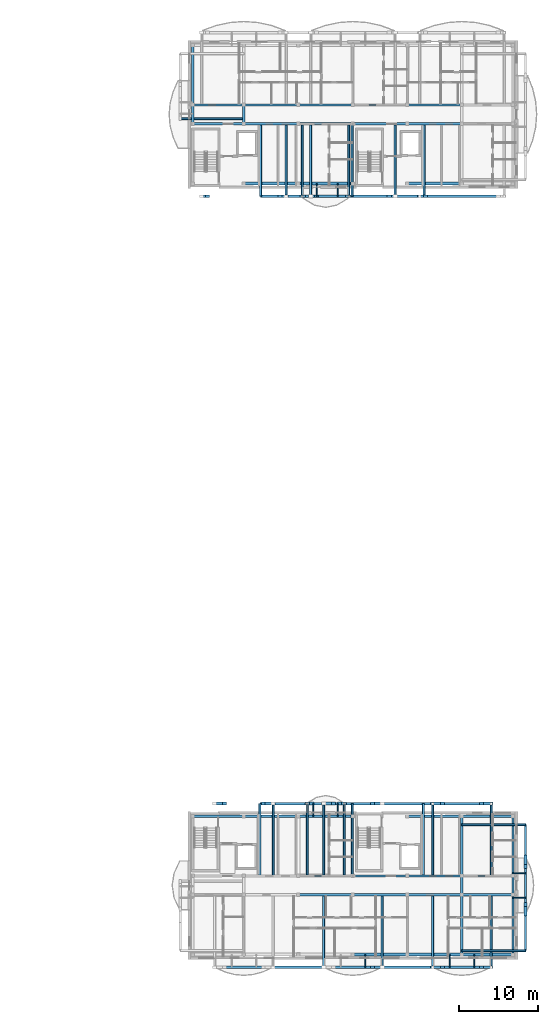
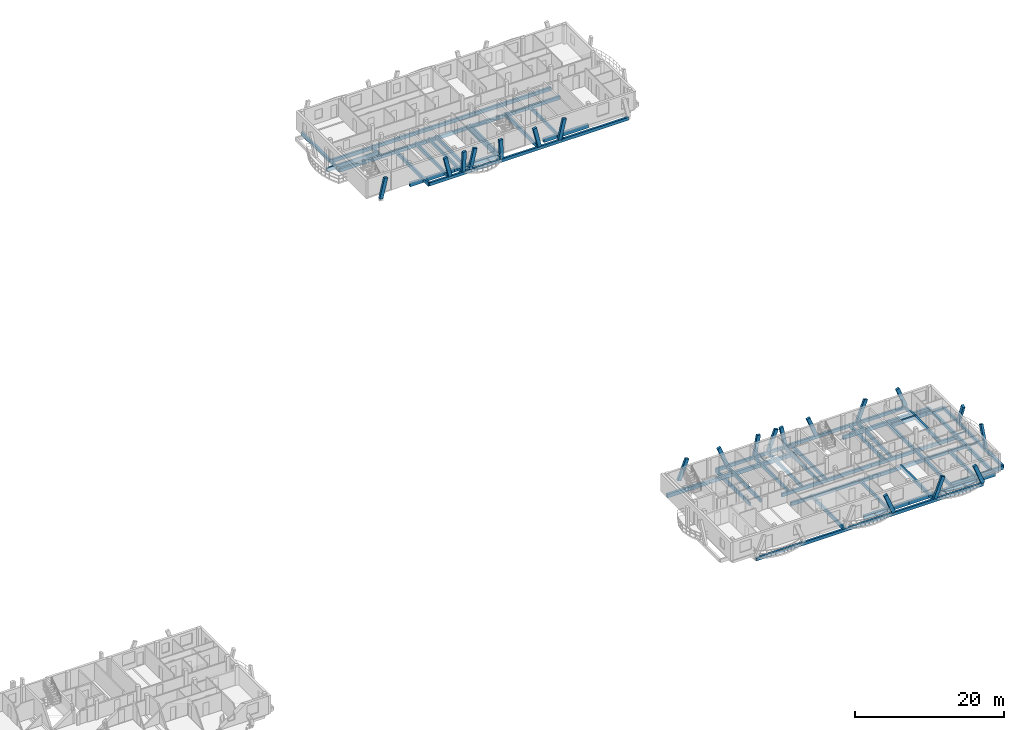
# One storey, part 7 of 42: 75 beams, 20 members.
"""IFC4 building model written with IfcOpenShell, lengths in metres."""

from ifc_helpers import new_model, si_unit, direction, frame, origin, origin_2d, place, context, subcontext, project, spatial, rectangle, i_section, extrude, material, material_profile, profile_set, type_object, element, save


model = new_model("IFC4")

# Units and contexts
model_context = context("Model", 3, precision=1e-05, world=origin(), true_north=direction((0.0, 1.0)))
body_context = subcontext(model_context, "Body", "Model", "MODEL_VIEW")
ifc_project = project(units=[si_unit("LENGTHUNIT", "METRE"), si_unit("AREAUNIT", "SQUARE_METRE"), si_unit("VOLUMEUNIT", "CUBIC_METRE"), si_unit("PLANEANGLEUNIT", "RADIAN"), si_unit("MASSUNIT", "GRAM", prefix="KILO")], contexts=[model_context])

# Site, building, storey
site_placement = place(None, origin())
site = spatial("IfcSite", under=ifc_project, at=site_placement, CompositionType="ELEMENT")
building_placement = place(site_placement, origin())
building = spatial("IfcBuilding", under=site, at=building_placement, Name="Zavelmont Quarter", CompositionType="ELEMENT")
storey_placement = place(building_placement, frame((0.0, 0.0, 24.0)))
storey = spatial("IfcBuildingStorey", under=building, at=storey_placement, Name="L07", CompositionType="ELEMENT", Elevation=24.0)

# Beams
ifc_material_1 = material(Name="Concrete C35/45", Category="concrete")
ifc_material_profile_1 = material_profile(ifc_material_1, rectangle(XDim=0.35009765625, YDim=0.60009765625, at=origin_2d()), Name="RC350X600")
ifc_profile_set_1 = profile_set([ifc_material_profile_1], Name="Concrete C35/45")
beam_type_1 = type_object("IfcBeamType", Name="BM01", PredefinedType="SPANDREL", material=ifc_profile_set_1)
beam_1_placement = place(storey_placement, frame((133.5, 98.0400390625, -0.550048828125), z_axis=(1.0, 0.0, 0.0), x_axis=(0.0, 1.0, 0.0)))
element("IfcBeam", 1, at=beam_1_placement, inside=storey, type_object=beam_type_1, Name="L07 beam BM01 20/P to 21/P", PredefinedType="SPANDREL", context=body_context, shape_type="SweptSolid", body=[
    extrude(rectangle(XDim=0.35009765625, YDim=0.60009765625, at=origin_2d()), origin(), (0.0, 0.0, 1.0), 6.89990234375),
])
for number, where, z_axis, x_axis, name in (
    (2, (140.39990234375, 98.0400390625, -0.550048828125), (1.0, 0.0, 0.0), (0.0, 1.0, 0.0), "L07 beam BM01 21/P to 22/P"),
    (3, (154.199951171875, 98.0400390625, -0.550048828125), (1.0, 0.0, 0.0), (0.0, 1.0, 0.0), "L07 beam BM01 23/P to 24/P"),
):
    element("IfcBeam", number, at=place(storey_placement, frame(where, z_axis=z_axis, x_axis=x_axis)), inside=storey, type_object=beam_type_1, Name=name, PredefinedType="SPANDREL", context=body_context, shape_type="SweptSolid", body=[
        extrude(rectangle(XDim=0.35009765625, YDim=0.60009765625, at=origin_2d()), origin(), (0.0, 0.0, 1.0), 6.900146484375),
    ])
beam_2_placement = place(storey_placement, frame((147.300048828125, 0.43994140625, -0.550048828125), z_axis=(1.0, 0.0, 0.0), x_axis=(0.0, 1.0, 0.0)))
element("IfcBeam", 4, at=beam_2_placement, inside=storey, type_object=beam_type_1, Name="L07 beam BM01 22/A to 23/A", PredefinedType="SPANDREL", context=body_context, shape_type="SweptSolid", body=[
    extrude(rectangle(XDim=0.35009765625, YDim=0.60009765625, at=origin_2d()), origin(), (0.0, 0.0, 1.0), 6.89990234375),
])
beam_3_placement = place(storey_placement, frame((154.199951171875, 0.43994140625, -0.550048828125), z_axis=(1.0, 0.0, 0.0), x_axis=(0.0, 1.0, 0.0)))
element("IfcBeam", 5, at=beam_3_placement, inside=storey, type_object=beam_type_1, Name="L07 beam BM01 23/A to 24/A", PredefinedType="SPANDREL", context=body_context, shape_type="SweptSolid", body=[
    extrude(rectangle(XDim=0.35009765625, YDim=0.60009765625, at=origin_2d()), origin(), (0.0, 0.0, 1.0), 6.900146484375),
])
for number, where, z_axis, x_axis, name in (
    (6, (161.10009765625, 0.43994140625, -0.550048828125), (1.0, 0.0, 0.0), (0.0, 1.0, 0.0), "L07 beam BM01 24/A to 25/A"),
    (7, (127.0400390625, 17.9599609375, -0.550048828125), (1.0, 0.0, 0.0), (0.0, 1.0, 0.0), "L07 beam BM01 19/D to 20/D"),
):
    element("IfcBeam", number, at=place(storey_placement, frame(where, z_axis=z_axis, x_axis=x_axis)), inside=storey, type_object=beam_type_1, Name=name, PredefinedType="SPANDREL", context=body_context, shape_type="SweptSolid", body=[
        extrude(rectangle(XDim=0.35009765625, YDim=0.60009765625, at=origin_2d()), origin(), (0.0, 0.0, 1.0), 6.4599609375),
    ])
beam_4_placement = place(storey_placement, frame((133.5, 17.9599609375, -0.550048828125), z_axis=(1.0, 0.0, 0.0), x_axis=(0.0, 1.0, 0.0)))
element("IfcBeam", 8, at=beam_4_placement, inside=storey, type_object=beam_type_1, Name="L07 beam BM01 20/D to 21/D", PredefinedType="SPANDREL", context=body_context, shape_type="SweptSolid", body=[
    extrude(rectangle(XDim=0.35009765625, YDim=0.60009765625, at=origin_2d()), origin(), (0.0, 0.0, 1.0), 6.89990234375),
])
for number, where, z_axis, x_axis, name in (
    (9, (140.39990234375, 17.9599609375, -0.550048828125), (1.0, 0.0, 0.0), (0.0, 1.0, 0.0), "L07 beam BM01 21/D to 22/D"),
    (10, (154.199951171875, 17.9599609375, -0.550048828125), (1.0, 0.0, 0.0), (0.0, 1.0, 0.0), "L07 beam BM01 23/D to 24/D"),
):
    element("IfcBeam", number, at=place(storey_placement, frame(where, z_axis=z_axis, x_axis=x_axis)), inside=storey, type_object=beam_type_1, Name=name, PredefinedType="SPANDREL", context=body_context, shape_type="SweptSolid", body=[
        extrude(rectangle(XDim=0.35009765625, YDim=0.60009765625, at=origin_2d()), origin(), (0.0, 0.0, 1.0), 6.900146484375),
    ])
beam_5_placement = place(storey_placement, frame((161.10009765625, 17.9599609375, -0.550048828125), z_axis=(1.0, 0.0, 0.0), x_axis=(0.0, 1.0, 0.0)))
element("IfcBeam", 11, at=beam_5_placement, inside=storey, type_object=beam_type_1, Name="L07 beam BM01 24/D to 25/D", PredefinedType="SPANDREL", context=body_context, shape_type="SweptSolid", body=[
    extrude(rectangle(XDim=0.35009765625, YDim=0.60009765625, at=origin_2d()), origin(), (0.0, 0.0, 1.0), 6.4599609375),
])
ifc_material_profile_2 = material_profile(ifc_material_1, rectangle(XDim=0.300048828125, YDim=0.550048828125, at=origin_2d()), Name="RC300X550")
ifc_profile_set_2 = profile_set([ifc_material_profile_2], Name="Concrete C35/45")
beam_type_2 = type_object("IfcBeamType", Name="BM02", PredefinedType="SPANDREL", material=ifc_profile_set_2)
beam_6_placement = place(storey_placement, frame((127.0400390625, 105.60009765625, -0.52490234375), z_axis=(1.0, 0.0, 0.0), x_axis=(0.0, 1.0, 0.0)))
element("IfcBeam", 12, at=beam_6_placement, inside=storey, type_object=beam_type_2, Name="L07 beam BM02 19/Q to 20/Q", PredefinedType="SPANDREL", context=body_context, shape_type="SweptSolid", body=[
    extrude(rectangle(XDim=0.300048828125, YDim=0.550048828125, at=origin_2d()), origin(), (0.0, 0.0, 1.0), 6.4599609375),
])
beam_7_placement = place(storey_placement, frame((133.5, 105.60009765625, -0.52490234375), z_axis=(1.0, 0.0, 0.0), x_axis=(0.0, 1.0, 0.0)))
element("IfcBeam", 13, at=beam_7_placement, inside=storey, type_object=beam_type_2, Name="L07 beam BM02 20/Q to 21/Q", PredefinedType="SPANDREL", context=body_context, shape_type="SweptSolid", body=[
    extrude(rectangle(XDim=0.300048828125, YDim=0.550048828125, at=origin_2d()), origin(), (0.0, 0.0, 1.0), 6.89990234375),
])
beam_8_placement = place(storey_placement, frame((140.39990234375, 105.60009765625, -0.52490234375), z_axis=(1.0, 0.0, 0.0), x_axis=(0.0, 1.0, 0.0)))
element("IfcBeam", 14, at=beam_8_placement, inside=storey, type_object=beam_type_2, Name="L07 beam BM02 21/Q to 22/Q", PredefinedType="SPANDREL", context=body_context, shape_type="SweptSolid", body=[
    extrude(rectangle(XDim=0.300048828125, YDim=0.550048828125, at=origin_2d()), origin(), (0.0, 0.0, 1.0), 6.900146484375),
])
beam_9_placement = place(storey_placement, frame((147.300048828125, 105.60009765625, -0.52490234375), z_axis=(1.0, 0.0, 0.0), x_axis=(0.0, 1.0, 0.0)))
element("IfcBeam", 15, at=beam_9_placement, inside=storey, type_object=beam_type_2, Name="L07 beam BM02 22/Q to 23/Q", PredefinedType="SPANDREL", context=body_context, shape_type="SweptSolid", body=[
    extrude(rectangle(XDim=0.300048828125, YDim=0.550048828125, at=origin_2d()), origin(), (0.0, 0.0, 1.0), 6.89990234375),
])
beam_10_placement = place(storey_placement, frame((154.199951171875, 105.60009765625, -0.52490234375), z_axis=(1.0, 0.0, 0.0), x_axis=(0.0, 1.0, 0.0)))
element("IfcBeam", 16, at=beam_10_placement, inside=storey, type_object=beam_type_2, Name="L07 beam BM02 23/Q to 24/Q", PredefinedType="SPANDREL", context=body_context, shape_type="SweptSolid", body=[
    extrude(rectangle(XDim=0.300048828125, YDim=0.550048828125, at=origin_2d()), origin(), (0.0, 0.0, 1.0), 6.900146484375),
])
beam_11_placement = place(storey_placement, frame((127.0400390625, 108.0, -0.52490234375), z_axis=(1.0, 0.0, 0.0), x_axis=(0.0, 1.0, 0.0)))
element("IfcBeam", 17, at=beam_11_placement, inside=storey, type_object=beam_type_2, Name="L07 beam BM02 19/R to 20/R", PredefinedType="SPANDREL", context=body_context, shape_type="SweptSolid", body=[
    extrude(rectangle(XDim=0.300048828125, YDim=0.550048828125, at=origin_2d()), origin(), (0.0, 0.0, 1.0), 6.4599609375),
])
beam_12_placement = place(storey_placement, frame((133.5, 108.0, -0.52490234375), z_axis=(1.0, 0.0, 0.0), x_axis=(0.0, 1.0, 0.0)))
element("IfcBeam", 18, at=beam_12_placement, inside=storey, type_object=beam_type_2, Name="L07 beam BM02 20/R to 21/R", PredefinedType="SPANDREL", context=body_context, shape_type="SweptSolid", body=[
    extrude(rectangle(XDim=0.300048828125, YDim=0.550048828125, at=origin_2d()), origin(), (0.0, 0.0, 1.0), 6.89990234375),
])
beam_13_placement = place(storey_placement, frame((140.39990234375, 108.0, -0.52490234375), z_axis=(1.0, 0.0, 0.0), x_axis=(0.0, 1.0, 0.0)))
element("IfcBeam", 19, at=beam_13_placement, inside=storey, type_object=beam_type_2, Name="L07 beam BM02 21/R to 22/R", PredefinedType="SPANDREL", context=body_context, shape_type="SweptSolid", body=[
    extrude(rectangle(XDim=0.300048828125, YDim=0.550048828125, at=origin_2d()), origin(), (0.0, 0.0, 1.0), 6.900146484375),
])
beam_14_placement = place(storey_placement, frame((147.300048828125, 108.0, -0.52490234375), z_axis=(1.0, 0.0, 0.0), x_axis=(0.0, 1.0, 0.0)))
element("IfcBeam", 20, at=beam_14_placement, inside=storey, type_object=beam_type_2, Name="L07 beam BM02 22/R to 23/R", PredefinedType="SPANDREL", context=body_context, shape_type="SweptSolid", body=[
    extrude(rectangle(XDim=0.300048828125, YDim=0.550048828125, at=origin_2d()), origin(), (0.0, 0.0, 1.0), 6.89990234375),
])
beam_15_placement = place(storey_placement, frame((154.199951171875, 108.0, -0.52490234375), z_axis=(1.0, 0.0, 0.0), x_axis=(0.0, 1.0, 0.0)))
element("IfcBeam", 21, at=beam_15_placement, inside=storey, type_object=beam_type_2, Name="L07 beam BM02 23/R to 24/R", PredefinedType="SPANDREL", context=body_context, shape_type="SweptSolid", body=[
    extrude(rectangle(XDim=0.300048828125, YDim=0.550048828125, at=origin_2d()), origin(), (0.0, 0.0, 1.0), 6.900146484375),
])
beam_16_placement = place(storey_placement, frame((127.0400390625, 105.60009765625, -0.52490234375), z_axis=(0.0, 1.0, 0.0), x_axis=(-1.0, 0.0, 0.0)))
element("IfcBeam", 22, at=beam_16_placement, inside=storey, type_object=beam_type_2, Name="L07 beam BM02 19/Q to 19/R", PredefinedType="SPANDREL", context=body_context, shape_type="SweptSolid", body=[
    extrude(rectangle(XDim=0.300048828125, YDim=0.550048828125, at=origin_2d()), origin(), (0.0, 0.0, 1.0), 2.39990234375),
])
beam_17_placement = place(storey_placement, frame((127.0400390625, 108.0, -0.52490234375), z_axis=(0.0, 1.0, 0.0), x_axis=(-1.0, 0.0, 0.0)))
element("IfcBeam", 23, at=beam_17_placement, inside=storey, type_object=beam_type_2, Name="L07 beam BM02 19/R to 19/S", PredefinedType="SPANDREL", context=body_context, shape_type="SweptSolid", body=[
    extrude(rectangle(XDim=0.300048828125, YDim=0.550048828125, at=origin_2d()), origin(), (0.0, 0.0, 1.0), 7.56005859375),
])
beam_18_placement = place(storey_placement, frame((133.5, 105.60009765625, -0.52490234375), z_axis=(0.0, 1.0, 0.0), x_axis=(-1.0, 0.0, 0.0)))
element("IfcBeam", 24, at=beam_18_placement, inside=storey, type_object=beam_type_2, Name="L07 beam BM02 20/Q to 20/R", PredefinedType="SPANDREL", context=body_context, shape_type="SweptSolid", body=[
    extrude(rectangle(XDim=0.300048828125, YDim=0.550048828125, at=origin_2d()), origin(), (0.0, 0.0, 1.0), 2.39990234375),
])
beam_19_placement = place(storey_placement, frame((140.39990234375, 8.0, -0.52490234375), z_axis=(1.0, 0.0, 0.0), x_axis=(0.0, 1.0, 0.0)))
element("IfcBeam", 25, at=beam_19_placement, inside=storey, type_object=beam_type_2, Name="L07 beam BM02 21/B to 22/B", PredefinedType="SPANDREL", context=body_context, shape_type="SweptSolid", body=[
    extrude(rectangle(XDim=0.300048828125, YDim=0.550048828125, at=origin_2d()), origin(), (0.0, 0.0, 1.0), 6.900146484375),
])
beam_20_placement = place(storey_placement, frame((147.300048828125, 8.0, -0.52490234375), z_axis=(1.0, 0.0, 0.0), x_axis=(0.0, 1.0, 0.0)))
element("IfcBeam", 26, at=beam_20_placement, inside=storey, type_object=beam_type_2, Name="L07 beam BM02 22/B to 23/B", PredefinedType="SPANDREL", context=body_context, shape_type="SweptSolid", body=[
    extrude(rectangle(XDim=0.300048828125, YDim=0.550048828125, at=origin_2d()), origin(), (0.0, 0.0, 1.0), 6.89990234375),
])
beam_21_placement = place(storey_placement, frame((154.199951171875, 8.0, -0.52490234375), z_axis=(1.0, 0.0, 0.0), x_axis=(0.0, 1.0, 0.0)))
element("IfcBeam", 27, at=beam_21_placement, inside=storey, type_object=beam_type_2, Name="L07 beam BM02 23/B to 24/B", PredefinedType="SPANDREL", context=body_context, shape_type="SweptSolid", body=[
    extrude(rectangle(XDim=0.300048828125, YDim=0.550048828125, at=origin_2d()), origin(), (0.0, 0.0, 1.0), 6.900146484375),
])
beam_22_placement = place(storey_placement, frame((161.10009765625, 8.0, -0.52490234375), z_axis=(1.0, 0.0, 0.0), x_axis=(0.0, 1.0, 0.0)))
element("IfcBeam", 28, at=beam_22_placement, inside=storey, type_object=beam_type_2, Name="L07 beam BM02 24/B to 25/B", PredefinedType="SPANDREL", context=body_context, shape_type="SweptSolid", body=[
    extrude(rectangle(XDim=0.300048828125, YDim=0.550048828125, at=origin_2d()), origin(), (0.0, 0.0, 1.0), 6.4599609375),
])
beam_23_placement = place(storey_placement, frame((140.39990234375, 10.39990234375, -0.52490234375), z_axis=(1.0, 0.0, 0.0), x_axis=(0.0, 1.0, 0.0)))
element("IfcBeam", 29, at=beam_23_placement, inside=storey, type_object=beam_type_2, Name="L07 beam BM02 21/C to 22/C", PredefinedType="SPANDREL", context=body_context, shape_type="SweptSolid", body=[
    extrude(rectangle(XDim=0.300048828125, YDim=0.550048828125, at=origin_2d()), origin(), (0.0, 0.0, 1.0), 6.900146484375),
])
beam_24_placement = place(storey_placement, frame((147.300048828125, 10.39990234375, -0.52490234375), z_axis=(1.0, 0.0, 0.0), x_axis=(0.0, 1.0, 0.0)))
element("IfcBeam", 30, at=beam_24_placement, inside=storey, type_object=beam_type_2, Name="L07 beam BM02 22/C to 23/C", PredefinedType="SPANDREL", context=body_context, shape_type="SweptSolid", body=[
    extrude(rectangle(XDim=0.300048828125, YDim=0.550048828125, at=origin_2d()), origin(), (0.0, 0.0, 1.0), 6.89990234375),
])
beam_25_placement = place(storey_placement, frame((154.199951171875, 10.39990234375, -0.52490234375), z_axis=(1.0, 0.0, 0.0), x_axis=(0.0, 1.0, 0.0)))
element("IfcBeam", 31, at=beam_25_placement, inside=storey, type_object=beam_type_2, Name="L07 beam BM02 23/C to 24/C", PredefinedType="SPANDREL", context=body_context, shape_type="SweptSolid", body=[
    extrude(rectangle(XDim=0.300048828125, YDim=0.550048828125, at=origin_2d()), origin(), (0.0, 0.0, 1.0), 6.900146484375),
])
beam_26_placement = place(storey_placement, frame((161.10009765625, 10.39990234375, -0.52490234375), z_axis=(1.0, 0.0, 0.0), x_axis=(0.0, 1.0, 0.0)))
element("IfcBeam", 32, at=beam_26_placement, inside=storey, type_object=beam_type_2, Name="L07 beam BM02 24/C to 25/C", PredefinedType="SPANDREL", context=body_context, shape_type="SweptSolid", body=[
    extrude(rectangle(XDim=0.300048828125, YDim=0.550048828125, at=origin_2d()), origin(), (0.0, 0.0, 1.0), 6.4599609375),
])
beam_27_placement = place(storey_placement, frame((161.10009765625, 0.43994140625, -0.52490234375), z_axis=(0.0, 1.0, 0.0), x_axis=(-1.0, 0.0, 0.0)))
element("IfcBeam", 33, at=beam_27_placement, inside=storey, type_object=beam_type_2, Name="L07 beam BM02 24/A to 24/B", PredefinedType="SPANDREL", context=body_context, shape_type="SweptSolid", body=[
    extrude(rectangle(XDim=0.300048828125, YDim=0.550048828125, at=origin_2d()), origin(), (0.0, 0.0, 1.0), 7.56005859375),
])
beam_28_placement = place(storey_placement, frame((161.10009765625, 8.0, -0.52490234375), z_axis=(0.0, 1.0, 0.0), x_axis=(-1.0, 0.0, 0.0)))
element("IfcBeam", 34, at=beam_28_placement, inside=storey, type_object=beam_type_2, Name="L07 beam BM02 24/B to 24/C", PredefinedType="SPANDREL", context=body_context, shape_type="SweptSolid", body=[
    extrude(rectangle(XDim=0.300048828125, YDim=0.550048828125, at=origin_2d()), origin(), (0.0, 0.0, 1.0), 2.39990234375),
])
for number, where, z_axis, x_axis, name in (
    (35, (161.10009765625, 10.39990234375, -0.52490234375), (0.0, 1.0, 0.0), (-1.0, 0.0, 0.0), "L07 beam BM02 24/C to 24/D"),
    (36, (167.56005859375, 0.43994140625, -0.52490234375), (0.0, 1.0, 0.0), (-1.0, 0.0, 0.0), "L07 beam BM02 25/A to 25/B"),
):
    element("IfcBeam", number, at=place(storey_placement, frame(where, z_axis=z_axis, x_axis=x_axis)), inside=storey, type_object=beam_type_2, Name=name, PredefinedType="SPANDREL", context=body_context, shape_type="SweptSolid", body=[
        extrude(rectangle(XDim=0.300048828125, YDim=0.550048828125, at=origin_2d()), origin(), (0.0, 0.0, 1.0), 7.56005859375),
    ])
beam_29_placement = place(storey_placement, frame((167.56005859375, 8.0, -0.52490234375), z_axis=(0.0, 1.0, 0.0), x_axis=(-1.0, 0.0, 0.0)))
element("IfcBeam", 37, at=beam_29_placement, inside=storey, type_object=beam_type_2, Name="L07 beam BM02 25/B to 25/C", PredefinedType="SPANDREL", context=body_context, shape_type="SweptSolid", body=[
    extrude(rectangle(XDim=0.300048828125, YDim=0.550048828125, at=origin_2d()), origin(), (0.0, 0.0, 1.0), 2.39990234375),
])
beam_30_placement = place(storey_placement, frame((167.56005859375, 10.39990234375, -0.52490234375), z_axis=(0.0, 1.0, 0.0), x_axis=(-1.0, 0.0, 0.0)))
element("IfcBeam", 38, at=beam_30_placement, inside=storey, type_object=beam_type_2, Name="L07 beam BM02 25/C to 25/D", PredefinedType="SPANDREL", context=body_context, shape_type="SweptSolid", body=[
    extrude(rectangle(XDim=0.300048828125, YDim=0.550048828125, at=origin_2d()), origin(), (0.0, 0.0, 1.0), 7.56005859375),
])
ifc_material_profile_3 = material_profile(ifc_material_1, rectangle(XDim=0.300048828125, YDim=0.5, at=origin_2d()), Name="RC300X500")
ifc_profile_set_3 = profile_set([ifc_material_profile_3], Name="Concrete C35/45")
beam_type_3 = type_object("IfcBeamType", Name="BM03", PredefinedType="BEAM", material=ifc_profile_set_3)
beam_31_placement = place(storey_placement, frame((135.625, 96.449951171875, -0.25), z_axis=(1.0, 0.0, 0.0), x_axis=(0.0, 1.0, 0.0)))
element("IfcBeam", 39, at=beam_31_placement, inside=storey, type_object=beam_type_3, Name="L07 beam BM03 20/P to 25/P", PredefinedType="BEAM", context=body_context, shape_type="SweptSolid", body=[
    extrude(rectangle(XDim=0.300048828125, YDim=0.5, at=origin_2d()), origin(), (0.0, 0.0, 1.0), 30.823974609375),
])
beam_32_placement = place(storey_placement, frame((129.799072265625, -1.14990234375, -0.25), z_axis=(1.0, 0.0, 0.0), x_axis=(0.0, 1.0, 0.0)))
element("IfcBeam", 40, at=beam_32_placement, inside=storey, type_object=beam_type_3, Name="L07 beam BM03 19/A to 25/A", PredefinedType="BEAM", context=body_context, shape_type="SweptSolid", body=[
    extrude(rectangle(XDim=0.300048828125, YDim=0.5, at=origin_2d()), origin(), (0.0, 0.0, 1.0), 35.001953125),
])
beam_33_placement = place(storey_placement, frame((135.52490234375, 19.550048828125, -0.25), z_axis=(1.0, 0.0, 0.0), x_axis=(0.0, 1.0, 0.0)))
element("IfcBeam", 41, at=beam_33_placement, inside=storey, type_object=beam_type_3, Name="L07 beam BM03 20/D to 25/D", PredefinedType="BEAM", context=body_context, shape_type="SweptSolid", body=[
    extrude(rectangle(XDim=0.300048828125, YDim=0.5, at=origin_2d()), origin(), (0.0, 0.0, 1.0), 29.276123046875),
])
beam_34_placement = place(storey_placement, frame((169.14990234375, 0.949951171875, -0.25), z_axis=(0.0, 1.0, 0.0), x_axis=(-1.0, 0.0, 0.0)))
element("IfcBeam", 42, at=beam_34_placement, inside=storey, type_object=beam_type_3, Name="L07 beam BM03 25/A to 25/D", PredefinedType="BEAM", context=body_context, shape_type="SweptSolid", body=[
    extrude(rectangle(XDim=0.300048828125, YDim=0.5, at=origin_2d()), origin(), (0.0, 0.0, 1.0), 15.949951171875),
])
ifc_material_2 = material(Name="Steel S355", Category="steel")
ifc_material_profile_4 = material_profile(ifc_material_2, i_section(OverallWidth=0.110107421875, OverallDepth=0.219970703125, WebThickness=0.005859375, FlangeThickness=0.00927734375, at=origin_2d()), Name="IPE 220")
ifc_profile_set_4 = profile_set([ifc_material_profile_4], Name="Steel S355")
beam_type_4 = type_object("IfcBeamType", Name="BM15", PredefinedType="JOIST", material=ifc_profile_set_4)
for number, where, z_axis, x_axis, name in (
    (43, (142.719970703125, 98.0400390625, -0.362060546875), (0.0, -1.0, 0.0), (1.0, 0.0, 0.0), "L07 beam BM15 21/P to 21/P"),
    (44, (145.39990234375, 98.0400390625, -0.362060546875), (0.0, -1.0, 0.0), (1.0, 0.0, 0.0), "L07 beam BM15 22/P to 22/P"),
):
    element("IfcBeam", number, at=place(storey_placement, frame(where, z_axis=z_axis, x_axis=x_axis)), inside=storey, type_object=beam_type_4, Name=name, PredefinedType="JOIST", context=body_context, shape_type="SweptSolid", body=[
        extrude(i_section(OverallWidth=0.110107421875, OverallDepth=0.219970703125, WebThickness=0.005859375, FlangeThickness=0.00927734375, at=origin_2d()), origin(), (0.0, 0.0, 1.0), 1.590087890625),
    ])
for number, where, z_axis, x_axis, name in (
    (45, (148.85009765625, 0.43994140625, -0.362060546875), (0.0, -1.0, 0.0), (1.0, 0.0, 0.0), "L07 beam BM15 22/A to 22/A"),
    (46, (159.550048828125, 0.43994140625, -0.362060546875), (0.0, -1.0, 0.0), (1.0, 0.0, 0.0), "L07 beam BM15 24/A to 24/A"),
    (47, (162.64990234375, 0.43994140625, -0.362060546875), (0.0, -1.0, 0.0), (1.0, 0.0, 0.0), "L07 beam BM15 24/A to 24/A"),
    (48, (167.56005859375, 7.64990234375, -0.366943359375), (1.0, 0.0, 0.0), (0.0, 1.0, 0.0), "L07 beam BM15 25/B to 25/B"),
    (49, (167.56005859375, 10.75, -0.366943359375), (1.0, 0.0, 0.0), (0.0, 1.0, 0.0), "L07 beam BM15 25/C to 25/C"),
):
    element("IfcBeam", number, at=place(storey_placement, frame(where, z_axis=z_axis, x_axis=x_axis)), inside=storey, type_object=beam_type_4, Name=name, PredefinedType="JOIST", context=body_context, shape_type="SweptSolid", body=[
        extrude(i_section(OverallWidth=0.110107421875, OverallDepth=0.219970703125, WebThickness=0.005859375, FlangeThickness=0.00927734375, at=origin_2d()), origin(), (0.0, 0.0, 1.0), 1.58984375),
    ])
for number, where, z_axis, x_axis, name in (
    (50, (142.300048828125, 17.9599609375, -0.362060546875), (0.0, 1.0, 0.0), (-1.0, 0.0, 0.0), "L07 beam BM15 21/D to 21/D"),
    (51, (145.39990234375, 17.9599609375, -0.362060546875), (0.0, 1.0, 0.0), (-1.0, 0.0, 0.0), "L07 beam BM15 22/D to 22/D"),
):
    element("IfcBeam", number, at=place(storey_placement, frame(where, z_axis=z_axis, x_axis=x_axis)), inside=storey, type_object=beam_type_4, Name=name, PredefinedType="JOIST", context=body_context, shape_type="SweptSolid", body=[
        extrude(i_section(OverallWidth=0.110107421875, OverallDepth=0.219970703125, WebThickness=0.005859375, FlangeThickness=0.00927734375, at=origin_2d()), origin(), (0.0, 0.0, 1.0), 1.590087890625),
    ])
ifc_material_3 = material(Name="Concrete C40/50", Category="concrete")
ifc_material_profile_5 = material_profile(ifc_material_3, rectangle(XDim=0.25, YDim=0.60009765625, at=origin_2d()), Name="RC250X600")
ifc_profile_set_5 = profile_set([ifc_material_profile_5], Name="Concrete C40/50")
beam_type_5 = type_object("IfcBeamType", Name="BM18", PredefinedType="BEAM", material=ifc_profile_set_5)
for number, where, z_axis, x_axis, name in (
    (52, (135.625, 105.60009765625, -0.300048828125), (0.0, -1.0, 0.0), (1.0, 0.0, 0.0), "L07 beam BM18 20/Q to 20/P"),
    (53, (138.84912109375, 105.60009765625, -0.300048828125), (0.0, -1.0, 0.0), (1.0, 0.0, 0.0), "L07 beam BM18 21/Q to 21/P"),
    (54, (141.950927734375, 105.60009765625, -0.300048828125), (0.0, -1.0, 0.0), (1.0, 0.0, 0.0), "L07 beam BM18 21/Q to 21/P"),
    (55, (152.649169921875, 105.60009765625, -0.300048828125), (0.0, -1.0, 0.0), (1.0, 0.0, 0.0), "L07 beam BM18 23/Q to 23/P"),
    (56, (147.199951171875, 105.60009765625, -0.300048828125), (0.0, -1.0, 0.0), (1.0, 0.0, 0.0), "L07 beam BM18 22/Q to 22/P"),
    (57, (156.324951171875, 105.60009765625, -0.300048828125), (0.0, -1.0, 0.0), (1.0, 0.0, 0.0), "L07 beam BM18 23/Q to 23/P"),
    (58, (140.89990234375, 105.60009765625, -0.300048828125), (0.0, -1.0, 0.0), (1.0, 0.0, 0.0), "L07 beam BM18 21/Q to 21/P"),
    (59, (146.800048828125, 105.60009765625, -0.300048828125), (0.0, -1.0, 0.0), (1.0, 0.0, 0.0), "L07 beam BM18 22/Q to 22/P"),
):
    element("IfcBeam", number, at=place(storey_placement, frame(where, z_axis=z_axis, x_axis=x_axis)), inside=storey, type_object=beam_type_5, Name=name, PredefinedType="BEAM", context=body_context, shape_type="SweptSolid", body=[
        extrude(rectangle(XDim=0.25, YDim=0.60009765625, at=origin_2d()), origin(), (0.0, 0.0, 1.0), 9.150146484375),
    ])
beam_35_placement = place(storey_placement, frame((133.5, 106.25, -0.300048828125), z_axis=(-1.0, 0.0, 0.0), x_axis=(0.0, -1.0, 0.0)))
element("IfcBeam", 60, at=beam_35_placement, inside=storey, type_object=beam_type_5, Name="L07 beam BM18 20/Q to 19/Q", PredefinedType="BEAM", context=body_context, shape_type="SweptSolid", body=[
    extrude(rectangle(XDim=0.25, YDim=0.60009765625, at=origin_2d()), origin(), (0.0, 0.0, 1.0), 8.050048828125),
])
for number, where, z_axis, x_axis, name in (
    (61, (143.5986328125, 8.0, -0.300048828125), (0.0, -1.0, 0.0), (1.0, 0.0, 0.0), "L07 beam BM18 21/B to 21/A"),
    (62, (151.001220703125, 8.0, -0.300048828125), (0.0, -1.0, 0.0), (1.0, 0.0, 0.0), "L07 beam BM18 23/B to 23/A"),
    (63, (157.398681640625, 8.0, -0.300048828125), (0.0, -1.0, 0.0), (1.0, 0.0, 0.0), "L07 beam BM18 23/B to 23/A"),
    (64, (164.80126953125, 8.0, -0.300048828125), (0.0, -1.0, 0.0), (1.0, 0.0, 0.0), "L07 beam BM18 25/B to 25/A"),
):
    element("IfcBeam", number, at=place(storey_placement, frame(where, z_axis=z_axis, x_axis=x_axis)), inside=storey, type_object=beam_type_5, Name=name, PredefinedType="BEAM", context=body_context, shape_type="SweptSolid", body=[
        extrude(rectangle(XDim=0.25, YDim=0.60009765625, at=origin_2d()), origin(), (0.0, 0.0, 1.0), 9.14990234375),
    ])
for number, where, z_axis, x_axis, name in (
    (65, (135.52490234375, 10.39990234375, -0.300048828125), (0.0, 1.0, 0.0), (-1.0, 0.0, 0.0), "L07 beam BM18 20/C to 20/D"),
    (66, (137.201416015625, 10.39990234375, -0.300048828125), (0.0, 1.0, 0.0), (-1.0, 0.0, 0.0), "L07 beam BM18 21/C to 21/D"),
    (67, (143.5986328125, 10.39990234375, -0.300048828125), (0.0, 1.0, 0.0), (-1.0, 0.0, 0.0), "L07 beam BM18 21/C to 21/D"),
    (68, (147.199951171875, 10.39990234375, -0.300048828125), (0.0, 1.0, 0.0), (-1.0, 0.0, 0.0), "L07 beam BM18 22/C to 22/D"),
    (69, (156.22509765625, 10.39990234375, -0.300048828125), (0.0, 1.0, 0.0), (-1.0, 0.0, 0.0), "L07 beam BM18 23/C to 23/D"),
    (70, (157.398681640625, 10.39990234375, -0.300048828125), (0.0, 1.0, 0.0), (-1.0, 0.0, 0.0), "L07 beam BM18 23/C to 23/D"),
    (71, (164.80126953125, 10.39990234375, -0.300048828125), (0.0, 1.0, 0.0), (-1.0, 0.0, 0.0), "L07 beam BM18 25/C to 25/D"),
    (72, (141.50048828125, 10.39990234375, -0.300048828125), (0.0, 1.0, 0.0), (-1.0, 0.0, 0.0), "L07 beam BM18 21/C to 21/D"),
    (73, (146.199462890625, 10.39990234375, -0.300048828125), (0.0, 1.0, 0.0), (-1.0, 0.0, 0.0), "L07 beam BM18 22/C to 22/D"),
):
    element("IfcBeam", number, at=place(storey_placement, frame(where, z_axis=z_axis, x_axis=x_axis)), inside=storey, type_object=beam_type_5, Name=name, PredefinedType="BEAM", context=body_context, shape_type="SweptSolid", body=[
        extrude(rectangle(XDim=0.25, YDim=0.60009765625, at=origin_2d()), origin(), (0.0, 0.0, 1.0), 9.150146484375),
    ])
for number, where, z_axis, x_axis, name in (
    (74, (161.10009765625, 0.949951171875, -0.300048828125), (1.0, 0.0, 0.0), (0.0, 1.0, 0.0), "L07 beam BM18 24/A to 25/A"),
    (75, (161.10009765625, 16.89990234375, -0.300048828125), (1.0, 0.0, 0.0), (0.0, 1.0, 0.0), "L07 beam BM18 24/D to 25/D"),
):
    element("IfcBeam", number, at=place(storey_placement, frame(where, z_axis=z_axis, x_axis=x_axis)), inside=storey, type_object=beam_type_5, Name=name, PredefinedType="BEAM", context=body_context, shape_type="SweptSolid", body=[
        extrude(rectangle(XDim=0.25, YDim=0.60009765625, at=origin_2d()), origin(), (0.0, 0.0, 1.0), 8.0498046875),
    ])

# Members
ifc_material_4 = material(Name="White architectural precast concrete C40/50", Category="concrete")
ifc_material_profile_6 = material_profile(ifc_material_4, rectangle(XDim=0.360107421875, YDim=0.5400390625, at=origin_2d()), Name="PCR280X420")
ifc_profile_set_6 = profile_set([ifc_material_profile_6], Name="White architectural precast concrete C40/50")
member_type = type_object("IfcMemberType", Name="VR02M", PredefinedType="CHORD", material=ifc_profile_set_6)
for number, where, z_axis, x_axis, name in (
    (76, (128.15087890625, 96.449951171875, 0.0), (0.230094494209, 0.0, 0.973168291579), (0.0, 1.0, 0.0), "L07 member VR02M 19/P to 19/P"),
    (77, (138.84912109375, 96.449951171875, 0.0), (-0.230094494209, 0.0, 0.973168291579), (0.0, -1.0, 0.0), "L07 member VR02M 21/P to 21/P"),
    (78, (141.950927734375, 96.449951171875, 0.0), (0.230094494209, 0.0, 0.973168291579), (0.0, 1.0, 0.0), "L07 member VR02M 21/P to 21/P"),
    (79, (152.649169921875, 96.449951171875, 0.0), (-0.230094494209, 0.0, 0.973168291579), (0.0, -1.0, 0.0), "L07 member VR02M 23/P to 23/P"),
    (80, (155.7509765625, 96.449951171875, 0.0), (0.230024175373, 0.0, 0.97318491498), (0.0, 1.0, 0.0), "L07 member VR02M 23/P to 23/P"),
):
    element("IfcMember", number, at=place(storey_placement, frame(where, z_axis=z_axis, x_axis=x_axis)), inside=storey, type_object=member_type, Name=name, PredefinedType="CHORD", context=body_context, shape_type="SweptSolid", body=[
        extrude(rectangle(XDim=0.360107421875, YDim=0.5400390625, at=origin_2d()), origin(), (0.0, 0.0, 1.0), 3.2880859375),
    ])
for number, where, z_axis, x_axis, name in (
    (81, (140.89990234375, 96.449951171875, 0.0), (0.046869925666, 0.0, 0.998901001135), (0.0, 1.0, 0.0), "L07 member VR02M 21/P to 21/P"),
    (82, (146.800048828125, 96.449951171875, 0.0), (-0.046869925666, 0.0, 0.998901001135), (0.0, -1.0, 0.0), "L07 member VR02M 22/P to 22/P"),
):
    element("IfcMember", number, at=place(storey_placement, frame(where, z_axis=z_axis, x_axis=x_axis)), inside=storey, type_object=member_type, Name=name, PredefinedType="CHORD", context=body_context, shape_type="SweptSolid", body=[
        extrude(rectangle(XDim=0.360107421875, YDim=0.5400390625, at=origin_2d()), origin(), (0.0, 0.0, 1.0), 3.203369140625),
    ])
for number, where, z_axis, x_axis, name in (
    (83, (151.001220703125, -1.14990234375, 0.0), (-0.363485315523, 0.0, 0.931599927758), (0.0, -1.0, 0.0), "L07 member VR02M 23/A to 22/A"),
    (84, (157.398681640625, -1.14990234375, 0.0), (0.363485315523, 0.0, 0.931599927758), (0.0, 1.0, 0.0), "L07 member VR02M 23/A to 24/A"),
    (85, (164.80126953125, -1.14990234375, 0.0), (-0.363485315523, 0.0, 0.931599927758), (0.0, -1.0, 0.0), "L07 member VR02M 25/A to 24/A"),
):
    element("IfcMember", number, at=place(storey_placement, frame(where, z_axis=z_axis, x_axis=x_axis)), inside=storey, type_object=member_type, Name=name, PredefinedType="CHORD", context=body_context, shape_type="SweptSolid", body=[
        extrude(rectangle(XDim=0.360107421875, YDim=0.5400390625, at=origin_2d()), origin(), (0.0, 0.0, 1.0), 3.434814453125),
    ])
for number, where, z_axis, x_axis, name in (
    (86, (129.798583984375, 19.550048828125, 0.0), (0.363546998909, 0.0, 0.931575858202), (0.0, 1.0, 0.0), "L07 member VR02M 19/D to 20/D"),
    (87, (137.201416015625, 19.550048828125, 0.0), (-0.363546998909, 0.0, 0.931575858202), (0.0, -1.0, 0.0), "L07 member VR02M 21/D to 20/D"),
    (88, (143.5986328125, 19.550048828125, 0.0), (0.363546998909, 0.0, 0.931575858202), (0.0, 1.0, 0.0), "L07 member VR02M 21/D to 22/D"),
):
    element("IfcMember", number, at=place(storey_placement, frame(where, z_axis=z_axis, x_axis=x_axis)), inside=storey, type_object=member_type, Name=name, PredefinedType="CHORD", context=body_context, shape_type="SweptSolid", body=[
        extrude(rectangle(XDim=0.360107421875, YDim=0.5400390625, at=origin_2d()), origin(), (0.0, 0.0, 1.0), 3.43505859375),
    ])
for number, where, z_axis, x_axis, name in (
    (89, (151.001220703125, 19.550048828125, 0.0), (-0.363485315523, 0.0, 0.931599927758), (0.0, -1.0, 0.0), "L07 member VR02M 23/D to 22/D"),
    (90, (157.398681640625, 19.550048828125, 0.0), (0.363485315523, 0.0, 0.931599927758), (0.0, 1.0, 0.0), "L07 member VR02M 23/D to 24/D"),
    (91, (164.80126953125, 19.550048828125, 0.0), (-0.363485315523, 0.0, 0.931599927758), (0.0, -1.0, 0.0), "L07 member VR02M 25/D to 24/D"),
):
    element("IfcMember", number, at=place(storey_placement, frame(where, z_axis=z_axis, x_axis=x_axis)), inside=storey, type_object=member_type, Name=name, PredefinedType="CHORD", context=body_context, shape_type="SweptSolid", body=[
        extrude(rectangle(XDim=0.360107421875, YDim=0.5400390625, at=origin_2d()), origin(), (0.0, 0.0, 1.0), 3.434814453125),
    ])
for number, where, z_axis, x_axis, name in (
    (92, (141.50048828125, 19.550048828125, 0.0), (0.182508285588, 0.0, 0.983204315334), (0.0, 1.0, 0.0), "L07 member VR02M 21/D to 21/D"),
    (93, (146.199462890625, 19.550048828125, 0.0), (-0.182508285588, 0.0, 0.983204315334), (0.0, -1.0, 0.0), "L07 member VR02M 22/D to 22/D"),
):
    element("IfcMember", number, at=place(storey_placement, frame(where, z_axis=z_axis, x_axis=x_axis)), inside=storey, type_object=member_type, Name=name, PredefinedType="CHORD", context=body_context, shape_type="SweptSolid", body=[
        extrude(rectangle(XDim=0.360107421875, YDim=0.5400390625, at=origin_2d()), origin(), (0.0, 0.0, 1.0), 3.254638671875),
    ])
for number, where, z_axis, x_axis, name in (
    (94, (169.14990234375, 5.59765625, 0.0), (0.0, 0.3514287068, 0.936214646348), (-1.0, 0.0, 0.0), "L07 member VR02M 25/B to 25/B"),
    (95, (169.14990234375, 12.802490234375, 0.0), (0.0, -0.3514287068, 0.936214646348), (1.0, 0.0, 0.0), "L07 member VR02M 25/C to 25/C"),
):
    element("IfcMember", number, at=place(storey_placement, frame(where, z_axis=z_axis, x_axis=x_axis)), inside=storey, type_object=member_type, Name=name, PredefinedType="CHORD", context=body_context, shape_type="SweptSolid", body=[
        extrude(rectangle(XDim=0.360107421875, YDim=0.5400390625, at=origin_2d()), origin(), (0.0, 0.0, 1.0), 3.41796875),
    ])

save(model, "model.ifc")
